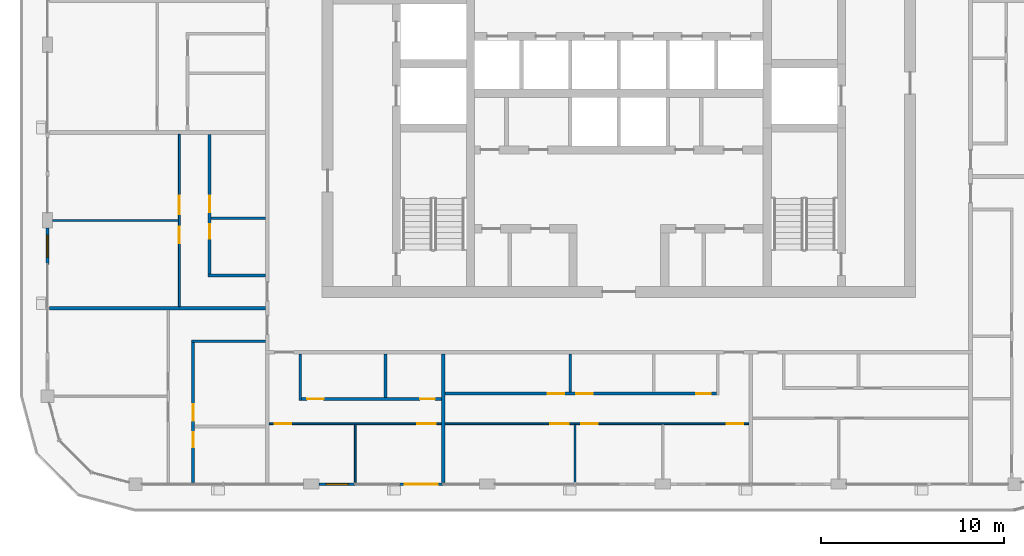
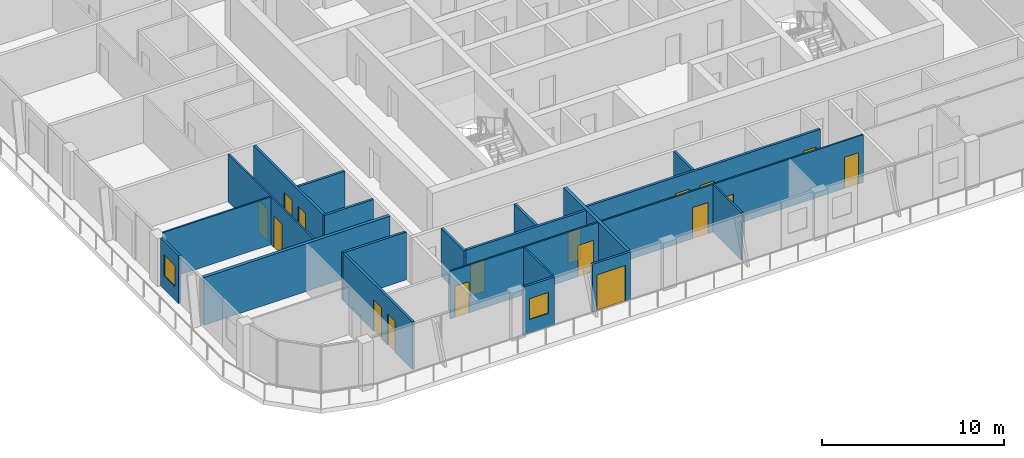
# One storey, part 9 of 22: 21 walls, 17 doors, 2 windows, 19 openings.
"""IFC4 building model written with IfcOpenShell, lengths in metres."""

from ifc_helpers import new_model, si_unit, direction, frame, frame_2d, origin, place, context, subcontext, project, spatial, rectangle, extrude, material, layer, layer_set, type_object, element, fill, save


model = new_model("IFC4")

# Units and contexts
model_context = context("Model", 3, precision=1e-05, world=origin(), true_north=direction((0.0, 1.0)))
body_context = subcontext(model_context, "Body", "Model", "MODEL_VIEW")
ifc_project = project(units=[si_unit("LENGTHUNIT", "METRE"), si_unit("AREAUNIT", "SQUARE_METRE"), si_unit("VOLUMEUNIT", "CUBIC_METRE"), si_unit("PLANEANGLEUNIT", "RADIAN"), si_unit("MASSUNIT", "GRAM", prefix="KILO")], contexts=[model_context])

# Site, building, storey
site_placement = place(None, origin())
site = spatial("IfcSite", under=ifc_project, at=site_placement, CompositionType="ELEMENT")
building_placement = place(site_placement, origin())
building = spatial("IfcBuilding", under=site, at=building_placement, Name="Madar Terraces", CompositionType="ELEMENT")
storey_placement = place(building_placement, frame((0.0, 0.0, 256.199951171875)))
storey = spatial("IfcBuildingStorey", under=building, at=storey_placement, Name="L67", CompositionType="ELEMENT", Elevation=256.199951171875)

# Wall, opening, window
ifc_material_1 = material(Name="Aluminium composite panel, black, over insulated backing", Category="aluminium")
ifc_layer_1 = layer(ifc_material_1, 0.14990234375)
ifc_layer_set_1 = layer_set([ifc_layer_1], Name="Facade bay panel 150")
wall_type_1 = type_object("IfcWallType", Name="Facade bay panel 150", PredefinedType="SOLIDWALL", material=ifc_layer_set_1)
wall_1_placement = place(storey_placement, frame((14.824951171875, 4.800048828125, 0.0), z_axis=(0.0, 0.0, 1.0), x_axis=(1.0, 0.0, 0.0)))
wall_1 = element("IfcWall", 1, at=wall_1_placement, inside=storey, type_object=wall_type_1, Name="Facade bay panel", PredefinedType="SOLIDWALL", context=body_context, shape_type="SweptSolid", body=[
    extrude(rectangle(XDim=1.97509765625, YDim=0.14990234375, at=frame_2d((0.987548828125, 0.0))), origin(), (0.0, 0.0, 1.0), 3.199951171875),
])
opening_1_placement = place(wall_1_placement, frame((0.387451171875, 0.0, 0.89990234375)))
opening_1 = element("IfcOpeningElement", 2, at=opening_1_placement, cuts=wall_1, Name="Opening W1", PredefinedType="OPENING", context=body_context, shape_type="SweptSolid", body=[
    extrude(rectangle(XDim=1.199951171875, YDim=1.39990234375, at=frame_2d((0.60009765625, 0.699951171875))), frame((0.0, 0.0849609375, 0.0), z_axis=(0.0, -1.0, 0.0), x_axis=(1.0, 0.0, 0.0)), (0.0, 0.0, 1.0), 0.169921875),
])
ifc_material_2 = material(Name="Glass, clear, with black aluminium frame", Category="aluminium")
window_type = type_object("IfcWindowType", Name="Vent window 1200 x 1400", PartitioningType="SINGLE_PANEL", PredefinedType="WINDOW", material=ifc_material_2)
window_1_placement = place(opening_1_placement, origin())
window_1 = element("IfcWindow", 3, at=window_1_placement, inside=storey, type_object=window_type, Name="Operable vent window", OverallHeight=1.39990234375, OverallWidth=1.199951171875, PartitioningType="SINGLE_PANEL", PredefinedType="WINDOW", context=body_context, shape_type="SweptSolid", body=[
    extrude(rectangle(XDim=1.199951171875, YDim=1.39990234375, at=frame_2d((0.60009765625, 0.699951171875))), frame((0.0, 0.030029296875, 0.0), z_axis=(0.0, -1.0, 0.0), x_axis=(1.0, 0.0, 0.0)), (0.0, 0.0, 1.0), 0.06005859375),
])
fill(opening_1, window_1)

# Wall, opening, door
wall_2_placement = place(storey_placement, frame((19.199951171875, 4.800048828125, 0.0), z_axis=(0.0, 0.0, 1.0), x_axis=(1.0, 0.0, 0.0)))
wall_2 = element("IfcWall", 4, at=wall_2_placement, inside=storey, type_object=wall_type_1, Name="Facade bay panel", PredefinedType="SOLIDWALL", context=body_context, shape_type="SweptSolid", body=[
    extrude(rectangle(XDim=2.400146484375, YDim=0.14990234375, at=frame_2d((1.2001953125, 0.0))), origin(), (0.0, 0.0, 1.0), 3.199951171875),
])
opening_2_placement = place(wall_2_placement, frame((0.300048828125, 0.0, 0.0)))
opening_2 = element("IfcOpeningElement", 5, at=opening_2_placement, cuts=wall_2, Name="Opening ED1", PredefinedType="OPENING", context=body_context, shape_type="SweptSolid", body=[
    extrude(rectangle(XDim=1.800048828125, YDim=2.39990234375, at=frame_2d((0.89990234375, 1.199951171875))), frame((0.0, 0.0849609375, 0.0), z_axis=(0.0, -1.0, 0.0), x_axis=(1.0, 0.0, 0.0)), (0.0, 0.0, 1.0), 0.169921875),
])
ifc_material_3 = material(Name="Glass, clear, with black aluminium frame", Category="aluminium")
door_type_1 = type_object("IfcDoorType", Name="Balcony and terrace sliding door 1800 x 2400", OperationType="SLIDING_TO_LEFT", PredefinedType="DOOR", material=ifc_material_3)
door_1_placement = place(opening_2_placement, origin())
door_1 = element("IfcDoor", 6, at=door_1_placement, inside=storey, type_object=door_type_1, Name="Balcony door", OperationType="SLIDING_TO_LEFT", OverallHeight=2.39990234375, OverallWidth=1.800048828125, PredefinedType="DOOR", context=body_context, shape_type="SweptSolid", body=[
    extrude(rectangle(XDim=1.800048828125, YDim=2.39990234375, at=frame_2d((0.89990234375, 1.199951171875))), frame((0.0, 0.02490234375, 0.0), z_axis=(0.0, -1.0, 0.0), x_axis=(1.0, 0.0, 0.0)), (0.0, 0.0, 1.0), 0.050048828125),
])
fill(opening_2, door_1)

# Wall, opening, window
wall_3_placement = place(storey_placement, frame((0.0, 18.77490234375, 0.0), z_axis=(0.0, 0.0, 1.0), x_axis=(0.0, -1.0, 0.0)))
wall_3 = element("IfcWall", 7, at=wall_3_placement, inside=storey, type_object=wall_type_1, Name="Facade bay panel", PredefinedType="SOLIDWALL", context=body_context, shape_type="SweptSolid", body=[
    extrude(rectangle(XDim=1.974853515625, YDim=0.14990234375, at=frame_2d((0.9873046875, 0.0))), origin(), (0.0, 0.0, 1.0), 3.199951171875),
])
opening_3_placement = place(wall_3_placement, frame((0.387451171875, 0.0, 0.89990234375)))
opening_3 = element("IfcOpeningElement", 8, at=opening_3_placement, cuts=wall_3, Name="Opening W1", PredefinedType="OPENING", context=body_context, shape_type="SweptSolid", body=[
    extrude(rectangle(XDim=1.199951171875, YDim=1.39990234375, at=frame_2d((0.60009765625, 0.699951171875))), frame((0.0, 0.0849609375, 0.0), z_axis=(0.0, -1.0, 0.0), x_axis=(1.0, 0.0, 0.0)), (0.0, 0.0, 1.0), 0.169921875),
])
window_2_placement = place(opening_3_placement, origin())
window_2 = element("IfcWindow", 9, at=window_2_placement, inside=storey, type_object=window_type, Name="Operable vent window", OverallHeight=1.39990234375, OverallWidth=1.199951171875, PartitioningType="SINGLE_PANEL", PredefinedType="WINDOW", context=body_context, shape_type="SweptSolid", body=[
    extrude(rectangle(XDim=1.199951171875, YDim=1.39990234375, at=frame_2d((0.60009765625, 0.699951171875))), frame((0.0, 0.030029296875, 0.0), z_axis=(0.0, -1.0, 0.0), x_axis=(1.0, 0.0, 0.0)), (0.0, 0.0, 1.0), 0.06005859375),
])
fill(opening_3, window_2)

# Wall
ifc_material_4 = material(Name="Gypsum board on steel studs", Category="steel")
ifc_layer_2 = layer(ifc_material_4, 0.10009765625)
ifc_layer_set_2 = layer_set([ifc_layer_2], Name="Flat partition 100")
wall_type_2 = type_object("IfcWallType", Name="Flat partition 100", PredefinedType="PARTITIONING", material=ifc_layer_set_2)
wall_4_placement = place(storey_placement, frame((16.800048828125, 8.050048828125, 0.0), z_axis=(0.0, 0.0, 1.0), x_axis=(0.0, -1.0, 0.0)))
element("IfcWall", 10, at=wall_4_placement, inside=storey, type_object=wall_type_2, Name="Flat partition 100", PredefinedType="PARTITIONING", context=body_context, shape_type="SweptSolid", body=[
    extrude(rectangle(XDim=3.150146484375, YDim=0.10009765625, at=frame_2d((1.5751953125, 0.0))), origin(), (0.0, 0.0, 1.0), 3.199951171875),
])

# Wall, openings, doors
wall_5_placement = place(storey_placement, frame((21.5, 8.10009765625, 0.0), z_axis=(0.0, 0.0, 1.0), x_axis=(-1.0, 0.0, 0.0)))
wall_5 = element("IfcWall", 11, at=wall_5_placement, inside=storey, type_object=wall_type_2, Name="Flat partition 100", PredefinedType="PARTITIONING", context=body_context, shape_type="SweptSolid", body=[
    extrude(rectangle(XDim=9.39990234375, YDim=0.10009765625, at=frame_2d((4.699951171875, 0.0))), origin(), (0.0, 0.0, 1.0), 3.199951171875),
])
opening_4_placement = place(wall_5_placement, frame((8.199951171875, 0.0, 0.0)))
opening_4 = element("IfcOpeningElement", 12, at=opening_4_placement, cuts=wall_5, Name="Opening D2", PredefinedType="OPENING", context=body_context, shape_type="SweptSolid", body=[
    extrude(rectangle(XDim=0.89990234375, YDim=2.10009765625, at=frame_2d((0.449951171875, 1.050048828125))), frame((0.0, 0.06005859375, 0.0), z_axis=(0.0, -1.0, 0.0), x_axis=(1.0, 0.0, 0.0)), (0.0, 0.0, 1.0), 0.1201171875),
])
opening_5_placement = place(wall_5_placement, frame((0.300048828125, 0.0, 0.0)))
opening_5 = element("IfcOpeningElement", 13, at=opening_5_placement, cuts=wall_5, Name="Opening D3", PredefinedType="OPENING", context=body_context, shape_type="SweptSolid", body=[
    extrude(rectangle(XDim=1.0, YDim=2.10009765625, at=frame_2d((0.5, 1.050048828125))), frame((0.0, 0.06005859375, 0.0), z_axis=(0.0, -1.0, 0.0), x_axis=(1.0, 0.0, 0.0)), (0.0, 0.0, 1.0), 0.1201171875),
])
ifc_material_5 = material(Name="Timber door leaf", Category="wood")
door_type_2 = type_object("IfcDoorType", Name="Flat living room door 1000", OperationType="NOTDEFINED", PredefinedType="DOOR", material=ifc_material_5)
door_2_placement = place(opening_5_placement, origin())
door_2 = element("IfcDoor", 14, at=door_2_placement, inside=storey, type_object=door_type_2, Name="Flat living room door 1000", OperationType="SINGLE_SWING_LEFT", OverallHeight=2.10009765625, OverallWidth=1.0, PredefinedType="DOOR", context=body_context, shape_type="SweptSolid", body=[
    extrude(rectangle(XDim=1.0, YDim=2.10009765625, at=frame_2d((0.5, 1.050048828125))), frame((0.0, 0.02490234375, 0.0), z_axis=(0.0, -1.0, 0.0), x_axis=(1.0, 0.0, 0.0)), (0.0, 0.0, 1.0), 0.050048828125),
])
fill(opening_5, door_2)
ifc_material_6 = material(Name="Timber door leaf", Category="wood")
door_type_3 = type_object("IfcDoorType", Name="Flat room door 900", OperationType="NOTDEFINED", PredefinedType="DOOR", material=ifc_material_6)
door_3_placement = place(opening_4_placement, origin())
door_3 = element("IfcDoor", 15, at=door_3_placement, inside=storey, type_object=door_type_3, Name="Flat room door 900", OperationType="SINGLE_SWING_RIGHT", OverallHeight=2.10009765625, OverallWidth=0.89990234375, PredefinedType="DOOR", context=body_context, shape_type="SweptSolid", body=[
    extrude(rectangle(XDim=0.89990234375, YDim=2.10009765625, at=frame_2d((0.449951171875, 1.050048828125))), frame((0.0, 0.02490234375, 0.0), z_axis=(0.0, -1.0, 0.0), x_axis=(1.0, 0.0, 0.0)), (0.0, 0.0, 1.0), 0.050048828125),
])
fill(opening_4, door_3)

# Wall
wall_6_placement = place(storey_placement, frame((28.800048828125, 8.050048828125, 0.0), z_axis=(0.0, 0.0, 1.0), x_axis=(0.0, -1.0, 0.0)))
element("IfcWall", 16, at=wall_6_placement, inside=storey, type_object=wall_type_2, Name="Flat partition 100", PredefinedType="PARTITIONING", context=body_context, shape_type="SweptSolid", body=[
    extrude(rectangle(XDim=3.150146484375, YDim=0.10009765625, at=frame_2d((1.5751953125, 0.0))), origin(), (0.0, 0.0, 1.0), 3.199951171875),
])

# Wall, openings, doors
wall_7_placement = place(storey_placement, frame((38.300048828125, 8.10009765625, 0.0), z_axis=(0.0, 0.0, 1.0), x_axis=(-1.0, 0.0, 0.0)))
wall_7 = element("IfcWall", 17, at=wall_7_placement, inside=storey, type_object=wall_type_2, Name="Flat partition 100", PredefinedType="PARTITIONING", context=body_context, shape_type="SweptSolid", body=[
    extrude(rectangle(XDim=16.60009765625, YDim=0.10009765625, at=frame_2d((8.300048828125, 0.0))), origin(), (0.0, 0.0, 1.0), 3.199951171875),
])
opening_6_placement = place(wall_7_placement, frame((0.300048828125, 0.0, 0.0)))
opening_6 = element("IfcOpeningElement", 18, at=opening_6_placement, cuts=wall_7, Name="Opening D2", PredefinedType="OPENING", context=body_context, shape_type="SweptSolid", body=[
    extrude(rectangle(XDim=0.89990234375, YDim=2.10009765625, at=frame_2d((0.449951171875, 1.050048828125))), frame((0.0, 0.06005859375, 0.0), z_axis=(0.0, -1.0, 0.0), x_axis=(1.0, 0.0, 0.0)), (0.0, 0.0, 1.0), 0.1201171875),
])
opening_7_placement = place(wall_7_placement, frame((8.25, 0.0, 0.0)))
opening_7 = element("IfcOpeningElement", 19, at=opening_7_placement, cuts=wall_7, Name="Opening D2", PredefinedType="OPENING", context=body_context, shape_type="SweptSolid", body=[
    extrude(rectangle(XDim=0.89990234375, YDim=2.10009765625, at=frame_2d((0.449951171875, 1.050048828125))), frame((0.0, 0.06005859375, 0.0), z_axis=(0.0, -1.0, 0.0), x_axis=(1.0, 0.0, 0.0)), (0.0, 0.0, 1.0), 0.1201171875),
])
opening_8_placement = place(wall_7_placement, frame((9.85009765625, 0.0, 0.0)))
opening_8 = element("IfcOpeningElement", 20, at=opening_8_placement, cuts=wall_7, Name="Opening D3", PredefinedType="OPENING", context=body_context, shape_type="SweptSolid", body=[
    extrude(rectangle(XDim=1.0, YDim=2.10009765625, at=frame_2d((0.5, 1.050048828125))), frame((0.0, 0.06005859375, 0.0), z_axis=(0.0, -1.0, 0.0), x_axis=(1.0, 0.0, 0.0)), (0.0, 0.0, 1.0), 0.1201171875),
])
door_4_placement = place(opening_8_placement, origin())
door_4 = element("IfcDoor", 21, at=door_4_placement, inside=storey, type_object=door_type_2, Name="Flat living room door 1000", OperationType="SINGLE_SWING_LEFT", OverallHeight=2.10009765625, OverallWidth=1.0, PredefinedType="DOOR", context=body_context, shape_type="SweptSolid", body=[
    extrude(rectangle(XDim=1.0, YDim=2.10009765625, at=frame_2d((0.5, 1.050048828125))), frame((0.0, 0.02490234375, 0.0), z_axis=(0.0, -1.0, 0.0), x_axis=(1.0, 0.0, 0.0)), (0.0, 0.0, 1.0), 0.050048828125),
])
fill(opening_8, door_4)
door_5_placement = place(opening_6_placement, origin())
door_5 = element("IfcDoor", 22, at=door_5_placement, inside=storey, type_object=door_type_3, Name="Flat room door 900", OperationType="SINGLE_SWING_LEFT", OverallHeight=2.10009765625, OverallWidth=0.89990234375, PredefinedType="DOOR", context=body_context, shape_type="SweptSolid", body=[
    extrude(rectangle(XDim=0.89990234375, YDim=2.10009765625, at=frame_2d((0.449951171875, 1.050048828125))), frame((0.0, 0.02490234375, 0.0), z_axis=(0.0, -1.0, 0.0), x_axis=(1.0, 0.0, 0.0)), (0.0, 0.0, 1.0), 0.050048828125),
])
fill(opening_6, door_5)
door_6_placement = place(opening_7_placement, origin())
door_6 = element("IfcDoor", 23, at=door_6_placement, inside=storey, type_object=door_type_3, Name="Flat room door 900", OperationType="SINGLE_SWING_RIGHT", OverallHeight=2.10009765625, OverallWidth=0.89990234375, PredefinedType="DOOR", context=body_context, shape_type="SweptSolid", body=[
    extrude(rectangle(XDim=0.89990234375, YDim=2.10009765625, at=frame_2d((0.449951171875, 1.050048828125))), frame((0.0, 0.02490234375, 0.0), z_axis=(0.0, -1.0, 0.0), x_axis=(1.0, 0.0, 0.0)), (0.0, 0.0, 1.0), 0.050048828125),
])
fill(opening_7, door_6)

# Wall
wall_8_placement = place(storey_placement, frame((7.14990234375, 19.199951171875, 0.0), z_axis=(0.0, 0.0, 1.0), x_axis=(-1.0, 0.0, 0.0)))
element("IfcWall", 24, at=wall_8_placement, inside=storey, type_object=wall_type_2, Name="Flat partition 100", PredefinedType="PARTITIONING", context=body_context, shape_type="SweptSolid", body=[
    extrude(rectangle(XDim=6.875, YDim=0.10009765625, at=frame_2d((3.4375, 0.0))), origin(), (0.0, 0.0, 1.0), 3.199951171875),
])

# Wall, openings, doors
wall_9_placement = place(storey_placement, frame((7.199951171875, 14.5, 0.0), z_axis=(0.0, 0.0, 1.0), x_axis=(0.0, 1.0, 0.0)))
wall_9 = element("IfcWall", 25, at=wall_9_placement, inside=storey, type_object=wall_type_2, Name="Flat partition 100", PredefinedType="PARTITIONING", context=body_context, shape_type="SweptSolid", body=[
    extrude(rectangle(XDim=9.39990234375, YDim=0.10009765625, at=frame_2d((4.699951171875, 0.0))), origin(), (0.0, 0.0, 1.0), 3.199951171875),
])
opening_9_placement = place(wall_9_placement, frame((3.449951171875, 0.0, 0.0)))
opening_9 = element("IfcOpeningElement", 26, at=opening_9_placement, cuts=wall_9, Name="Opening D2", PredefinedType="OPENING", context=body_context, shape_type="SweptSolid", body=[
    extrude(rectangle(XDim=0.89990234375, YDim=2.10009765625, at=frame_2d((0.449951171875, 1.050048828125))), frame((0.0, 0.06005859375, 0.0), z_axis=(0.0, -1.0, 0.0), x_axis=(1.0, 0.0, 0.0)), (0.0, 0.0, 1.0), 0.1201171875),
])
opening_10_placement = place(wall_9_placement, frame((5.050048828125, 0.0, 0.0)))
opening_10 = element("IfcOpeningElement", 27, at=opening_10_placement, cuts=wall_9, Name="Opening D3", PredefinedType="OPENING", context=body_context, shape_type="SweptSolid", body=[
    extrude(rectangle(XDim=1.0, YDim=2.10009765625, at=frame_2d((0.5, 1.050048828125))), frame((0.0, 0.06005859375, 0.0), z_axis=(0.0, -1.0, 0.0), x_axis=(1.0, 0.0, 0.0)), (0.0, 0.0, 1.0), 0.1201171875),
])
door_7_placement = place(opening_10_placement, origin())
door_7 = element("IfcDoor", 28, at=door_7_placement, inside=storey, type_object=door_type_2, Name="Flat living room door 1000", OperationType="SINGLE_SWING_LEFT", OverallHeight=2.10009765625, OverallWidth=1.0, PredefinedType="DOOR", context=body_context, shape_type="SweptSolid", body=[
    extrude(rectangle(XDim=1.0, YDim=2.10009765625, at=frame_2d((0.5, 1.050048828125))), frame((0.0, 0.02490234375, 0.0), z_axis=(0.0, -1.0, 0.0), x_axis=(1.0, 0.0, 0.0)), (0.0, 0.0, 1.0), 0.050048828125),
])
fill(opening_10, door_7)
door_8_placement = place(opening_9_placement, origin())
door_8 = element("IfcDoor", 29, at=door_8_placement, inside=storey, type_object=door_type_3, Name="Flat room door 900", OperationType="SINGLE_SWING_RIGHT", OverallHeight=2.10009765625, OverallWidth=0.89990234375, PredefinedType="DOOR", context=body_context, shape_type="SweptSolid", body=[
    extrude(rectangle(XDim=0.89990234375, YDim=2.10009765625, at=frame_2d((0.449951171875, 1.050048828125))), frame((0.0, 0.02490234375, 0.0), z_axis=(0.0, -1.0, 0.0), x_axis=(1.0, 0.0, 0.0)), (0.0, 0.0, 1.0), 0.050048828125),
])
fill(opening_9, door_8)

# Walls
ifc_material_7 = material(Name="Lightweight blockwork", Category="masonry")
ifc_layer_3 = layer(ifc_material_7, 0.199951171875)
ifc_layer_set_3 = layer_set([ifc_layer_3], Name="Flat party and entrance wall 200")
wall_type_3 = type_object("IfcWallType", Name="Flat party and entrance wall 200", PredefinedType="PARTITIONING", material=ifc_layer_set_3)
wall_10_placement = place(storey_placement, frame((21.60009765625, 11.89990234375, 0.0), z_axis=(0.0, 0.0, 1.0), x_axis=(0.0, -1.0, 0.0)))
element("IfcWall", 30, at=wall_10_placement, inside=storey, type_object=wall_type_3, Name="Flat party and entrance wall 200", PredefinedType="PARTITIONING", context=body_context, shape_type="SweptSolid", body=[
    extrude(rectangle(XDim=7.0, YDim=0.199951171875, at=frame_2d((3.5, 0.0))), origin(), (0.0, 0.0, 1.0), 3.199951171875),
])
wall_11_placement = place(storey_placement, frame((0.10009765625, 14.39990234375, 0.0), z_axis=(0.0, 0.0, 1.0), x_axis=(1.0, 0.0, 0.0)))
element("IfcWall", 31, at=wall_11_placement, inside=storey, type_object=wall_type_3, Name="Flat party and entrance wall 200", PredefinedType="PARTITIONING", context=body_context, shape_type="SweptSolid", body=[
    extrude(rectangle(XDim=11.7998046875, YDim=0.199951171875, at=frame_2d((5.89990234375, 0.0))), origin(), (0.0, 0.0, 1.0), 3.199951171875),
])
ifc_material_8 = material(Name="Lightweight blockwork", Category="masonry")
ifc_layer_4 = layer(ifc_material_8, 0.14990234375)
ifc_layer_set_4 = layer_set([ifc_layer_4], Name="Flat wet-room partition 150")
wall_type_4 = type_object("IfcWallType", Name="Flat wet-room partition 150", PredefinedType="PARTITIONING", material=ifc_layer_set_4)
wall_12_placement = place(storey_placement, frame((18.449951171875, 11.89990234375, 0.0), z_axis=(0.0, 0.0, 1.0), x_axis=(0.0, -1.0, 0.0)))
element("IfcWall", 32, at=wall_12_placement, inside=storey, type_object=wall_type_4, Name="Flat wet-room partition 150", PredefinedType="PARTITIONING", context=body_context, shape_type="SweptSolid", body=[
    extrude(rectangle(XDim=2.375, YDim=0.14990234375, at=frame_2d((1.1875, 0.0))), origin(), (0.0, 0.0, 1.0), 3.199951171875),
])
wall_13_placement = place(storey_placement, frame((13.800048828125, 11.89990234375, 0.0), z_axis=(0.0, 0.0, 1.0), x_axis=(0.0, -1.0, 0.0)))
element("IfcWall", 33, at=wall_13_placement, inside=storey, type_object=wall_type_4, Name="Flat wet-room partition 150", PredefinedType="PARTITIONING", context=body_context, shape_type="SweptSolid", body=[
    extrude(rectangle(XDim=2.52490234375, YDim=0.14990234375, at=frame_2d((1.262451171875, 0.0))), origin(), (0.0, 0.0, 1.0), 3.199951171875),
])

# Wall, openings, doors
wall_14_placement = place(storey_placement, frame((13.875, 9.449951171875, 0.0), z_axis=(0.0, 0.0, 1.0), x_axis=(1.0, 0.0, 0.0)))
wall_14 = element("IfcWall", 34, at=wall_14_placement, inside=storey, type_object=wall_type_4, Name="Flat wet-room partition 150", PredefinedType="PARTITIONING", context=body_context, shape_type="SweptSolid", body=[
    extrude(rectangle(XDim=7.625, YDim=0.14990234375, at=frame_2d((3.8125, 0.0))), origin(), (0.0, 0.0, 1.0), 3.199951171875),
])
opening_11_placement = place(wall_14_placement, frame((0.300048828125, 0.0, 0.0)))
opening_11 = element("IfcOpeningElement", 35, at=opening_11_placement, cuts=wall_14, Name="Opening D2", PredefinedType="OPENING", context=body_context, shape_type="SweptSolid", body=[
    extrude(rectangle(XDim=0.89990234375, YDim=2.10009765625, at=frame_2d((0.449951171875, 1.050048828125))), frame((0.0, 0.0849609375, 0.0), z_axis=(0.0, -1.0, 0.0), x_axis=(1.0, 0.0, 0.0)), (0.0, 0.0, 1.0), 0.169921875),
])
opening_12_placement = place(wall_14_placement, frame((6.47509765625, 0.0, 0.0)))
opening_12 = element("IfcOpeningElement", 36, at=opening_12_placement, cuts=wall_14, Name="Opening D4", PredefinedType="OPENING", context=body_context, shape_type="SweptSolid", body=[
    extrude(rectangle(XDim=0.800048828125, YDim=2.10009765625, at=frame_2d((0.39990234375, 1.050048828125))), frame((0.0, 0.0849609375, 0.0), z_axis=(0.0, -1.0, 0.0), x_axis=(1.0, 0.0, 0.0)), (0.0, 0.0, 1.0), 0.169921875),
])
ifc_material_9 = material(Name="Timber door leaf", Category="wood")
door_type_4 = type_object("IfcDoorType", Name="Flat bathroom door 800", OperationType="NOTDEFINED", PredefinedType="DOOR", material=ifc_material_9)
door_9_placement = place(opening_12_placement, origin())
door_9 = element("IfcDoor", 37, at=door_9_placement, inside=storey, type_object=door_type_4, Name="Flat bathroom door 800", OperationType="SINGLE_SWING_RIGHT", OverallHeight=2.10009765625, OverallWidth=0.800048828125, PredefinedType="DOOR", context=body_context, shape_type="SweptSolid", body=[
    extrude(rectangle(XDim=0.800048828125, YDim=2.10009765625, at=frame_2d((0.39990234375, 1.050048828125))), frame((0.0, 0.02490234375, 0.0), z_axis=(0.0, -1.0, 0.0), x_axis=(1.0, 0.0, 0.0)), (0.0, 0.0, 1.0), 0.050048828125),
])
fill(opening_12, door_9)
door_10_placement = place(opening_11_placement, origin())
door_10 = element("IfcDoor", 38, at=door_10_placement, inside=storey, type_object=door_type_3, Name="Flat room door 900", OperationType="SINGLE_SWING_LEFT", OverallHeight=2.10009765625, OverallWidth=0.89990234375, PredefinedType="DOOR", context=body_context, shape_type="SweptSolid", body=[
    extrude(rectangle(XDim=0.89990234375, YDim=2.10009765625, at=frame_2d((0.449951171875, 1.050048828125))), frame((0.0, 0.02490234375, 0.0), z_axis=(0.0, -1.0, 0.0), x_axis=(1.0, 0.0, 0.0)), (0.0, 0.0, 1.0), 0.050048828125),
])
fill(opening_11, door_10)

# Wall
wall_15_placement = place(storey_placement, frame((28.542236328125, 11.89990234375, 0.0), z_axis=(0.0, 0.0, 1.0), x_axis=(0.0, -1.0, 0.0)))
element("IfcWall", 39, at=wall_15_placement, inside=storey, type_object=wall_type_4, Name="Flat wet-room partition 150", PredefinedType="PARTITIONING", context=body_context, shape_type="SweptSolid", body=[
    extrude(rectangle(XDim=2.074951171875, YDim=0.14990234375, at=frame_2d((1.03759765625, 0.0))), origin(), (0.0, 0.0, 1.0), 3.199951171875),
])

# Wall, openings, doors
wall_16_placement = place(storey_placement, frame((21.699951171875, 9.75, 0.0), z_axis=(0.0, 0.0, 1.0), x_axis=(1.0, 0.0, 0.0)))
wall_16 = element("IfcWall", 40, at=wall_16_placement, inside=storey, type_object=wall_type_4, Name="Flat wet-room partition 150", PredefinedType="PARTITIONING", context=body_context, shape_type="SweptSolid", body=[
    extrude(rectangle(XDim=14.824951171875, YDim=0.14990234375, at=frame_2d((7.41259765625, 0.0))), origin(), (0.0, 0.0, 1.0), 3.199951171875),
])
opening_13_placement = place(wall_16_placement, frame((13.72509765625, 0.0, 0.0)))
opening_13 = element("IfcOpeningElement", 41, at=opening_13_placement, cuts=wall_16, Name="Opening D4", PredefinedType="OPENING", context=body_context, shape_type="SweptSolid", body=[
    extrude(rectangle(XDim=0.800048828125, YDim=2.10009765625, at=frame_2d((0.39990234375, 1.050048828125))), frame((0.0, 0.0849609375, 0.0), z_axis=(0.0, -1.0, 0.0), x_axis=(1.0, 0.0, 0.0)), (0.0, 0.0, 1.0), 0.169921875),
])
opening_14_placement = place(wall_16_placement, frame((7.167236328125, 0.0, 0.0)))
opening_14 = element("IfcOpeningElement", 42, at=opening_14_placement, cuts=wall_16, Name="Opening D5", PredefinedType="OPENING", context=body_context, shape_type="SweptSolid", body=[
    extrude(rectangle(XDim=0.89990234375, YDim=2.10009765625, at=frame_2d((0.449951171875, 1.050048828125))), frame((0.0, 0.0849609375, 0.0), z_axis=(0.0, -1.0, 0.0), x_axis=(1.0, 0.0, 0.0)), (0.0, 0.0, 1.0), 0.169921875),
])
opening_15_placement = place(wall_16_placement, frame((5.6171875, 0.0, 0.0)))
opening_15 = element("IfcOpeningElement", 43, at=opening_15_placement, cuts=wall_16, Name="Opening D2", PredefinedType="OPENING", context=body_context, shape_type="SweptSolid", body=[
    extrude(rectangle(XDim=0.89990234375, YDim=2.10009765625, at=frame_2d((0.449951171875, 1.050048828125))), frame((0.0, 0.0849609375, 0.0), z_axis=(0.0, -1.0, 0.0), x_axis=(1.0, 0.0, 0.0)), (0.0, 0.0, 1.0), 0.169921875),
])
ifc_material_10 = material(Name="Timber door leaf", Category="wood")
door_type_5 = type_object("IfcDoorType", Name="Flat accessible bathroom door 900", OperationType="NOTDEFINED", PredefinedType="DOOR", material=ifc_material_10)
door_11_placement = place(opening_14_placement, origin())
door_11 = element("IfcDoor", 44, at=door_11_placement, inside=storey, type_object=door_type_5, Name="Flat accessible bathroom door 900", OperationType="SINGLE_SWING_LEFT", OverallHeight=2.10009765625, OverallWidth=0.89990234375, PredefinedType="DOOR", context=body_context, shape_type="SweptSolid", body=[
    extrude(rectangle(XDim=0.89990234375, YDim=2.10009765625, at=frame_2d((0.449951171875, 1.050048828125))), frame((0.0, 0.02490234375, 0.0), z_axis=(0.0, -1.0, 0.0), x_axis=(1.0, 0.0, 0.0)), (0.0, 0.0, 1.0), 0.050048828125),
])
fill(opening_14, door_11)
door_12_placement = place(opening_13_placement, origin())
door_12 = element("IfcDoor", 45, at=door_12_placement, inside=storey, type_object=door_type_4, Name="Flat bathroom door 800", OperationType="SINGLE_SWING_RIGHT", OverallHeight=2.10009765625, OverallWidth=0.800048828125, PredefinedType="DOOR", context=body_context, shape_type="SweptSolid", body=[
    extrude(rectangle(XDim=0.800048828125, YDim=2.10009765625, at=frame_2d((0.39990234375, 1.050048828125))), frame((0.0, 0.02490234375, 0.0), z_axis=(0.0, -1.0, 0.0), x_axis=(1.0, 0.0, 0.0)), (0.0, 0.0, 1.0), 0.050048828125),
])
fill(opening_13, door_12)
door_13_placement = place(opening_15_placement, origin())
door_13 = element("IfcDoor", 46, at=door_13_placement, inside=storey, type_object=door_type_3, Name="Flat room door 900", OperationType="SINGLE_SWING_RIGHT", OverallHeight=2.10009765625, OverallWidth=0.89990234375, PredefinedType="DOOR", context=body_context, shape_type="SweptSolid", body=[
    extrude(rectangle(XDim=0.89990234375, YDim=2.10009765625, at=frame_2d((0.449951171875, 1.050048828125))), frame((0.0, 0.02490234375, 0.0), z_axis=(0.0, -1.0, 0.0), x_axis=(1.0, 0.0, 0.0)), (0.0, 0.0, 1.0), 0.050048828125),
])
fill(opening_15, door_13)

# Walls
wall_17_placement = place(storey_placement, frame((11.89990234375, 19.324951171875, 0.0), z_axis=(0.0, 0.0, 1.0), x_axis=(-1.0, 0.0, 0.0)))
element("IfcWall", 47, at=wall_17_placement, inside=storey, type_object=wall_type_4, Name="Flat wet-room partition 150", PredefinedType="PARTITIONING", context=body_context, shape_type="SweptSolid", body=[
    extrude(rectangle(XDim=2.974853515625, YDim=0.14990234375, at=frame_2d((1.4873046875, 0.0))), origin(), (0.0, 0.0, 1.0), 3.199951171875),
])
wall_18_placement = place(storey_placement, frame((11.89990234375, 16.199951171875, 0.0), z_axis=(0.0, 0.0, 1.0), x_axis=(-1.0, 0.0, 0.0)))
element("IfcWall", 48, at=wall_18_placement, inside=storey, type_object=wall_type_4, Name="Flat wet-room partition 150", PredefinedType="PARTITIONING", context=body_context, shape_type="SweptSolid", body=[
    extrude(rectangle(XDim=3.125, YDim=0.14990234375, at=frame_2d((1.5625, 0.0))), origin(), (0.0, 0.0, 1.0), 3.199951171875),
])

# Wall, openings, doors
wall_19_placement = place(storey_placement, frame((8.85009765625, 23.89990234375, 0.0), z_axis=(0.0, 0.0, 1.0), x_axis=(0.0, -1.0, 0.0)))
wall_19 = element("IfcWall", 49, at=wall_19_placement, inside=storey, type_object=wall_type_4, Name="Flat wet-room partition 150", PredefinedType="PARTITIONING", context=body_context, shape_type="SweptSolid", body=[
    extrude(rectangle(XDim=7.625, YDim=0.14990234375, at=frame_2d((3.8125, 0.0))), origin(), (0.0, 0.0, 1.0), 3.199951171875),
])
opening_16_placement = place(wall_19_placement, frame((4.89990234375, 0.0, 0.0)))
opening_16 = element("IfcOpeningElement", 50, at=opening_16_placement, cuts=wall_19, Name="Opening D4", PredefinedType="OPENING", context=body_context, shape_type="SweptSolid", body=[
    extrude(rectangle(XDim=0.800048828125, YDim=2.10009765625, at=frame_2d((0.39990234375, 1.050048828125))), frame((0.0, 0.0849609375, 0.0), z_axis=(0.0, -1.0, 0.0), x_axis=(1.0, 0.0, 0.0)), (0.0, 0.0, 1.0), 0.169921875),
])
opening_17_placement = place(wall_19_placement, frame((3.35009765625, 0.0, 0.0)))
opening_17 = element("IfcOpeningElement", 51, at=opening_17_placement, cuts=wall_19, Name="Opening D2", PredefinedType="OPENING", context=body_context, shape_type="SweptSolid", body=[
    extrude(rectangle(XDim=0.89990234375, YDim=2.10009765625, at=frame_2d((0.449951171875, 1.050048828125))), frame((0.0, 0.0849609375, 0.0), z_axis=(0.0, -1.0, 0.0), x_axis=(1.0, 0.0, 0.0)), (0.0, 0.0, 1.0), 0.169921875),
])
door_14_placement = place(opening_16_placement, origin())
door_14 = element("IfcDoor", 52, at=door_14_placement, inside=storey, type_object=door_type_4, Name="Flat bathroom door 800", OperationType="SINGLE_SWING_LEFT", OverallHeight=2.10009765625, OverallWidth=0.800048828125, PredefinedType="DOOR", context=body_context, shape_type="SweptSolid", body=[
    extrude(rectangle(XDim=0.800048828125, YDim=2.10009765625, at=frame_2d((0.39990234375, 1.050048828125))), frame((0.0, 0.02490234375, 0.0), z_axis=(0.0, -1.0, 0.0), x_axis=(1.0, 0.0, 0.0)), (0.0, 0.0, 1.0), 0.050048828125),
])
fill(opening_16, door_14)
door_15_placement = place(opening_17_placement, origin())
door_15 = element("IfcDoor", 53, at=door_15_placement, inside=storey, type_object=door_type_3, Name="Flat room door 900", OperationType="SINGLE_SWING_RIGHT", OverallHeight=2.10009765625, OverallWidth=0.89990234375, PredefinedType="DOOR", context=body_context, shape_type="SweptSolid", body=[
    extrude(rectangle(XDim=0.89990234375, YDim=2.10009765625, at=frame_2d((0.449951171875, 1.050048828125))), frame((0.0, 0.02490234375, 0.0), z_axis=(0.0, -1.0, 0.0), x_axis=(1.0, 0.0, 0.0)), (0.0, 0.0, 1.0), 0.050048828125),
])
fill(opening_17, door_15)

# Wall
wall_20_placement = place(storey_placement, frame((11.89990234375, 12.60009765625, 0.0), z_axis=(0.0, 0.0, 1.0), x_axis=(-1.0, 0.0, 0.0)))
element("IfcWall", 54, at=wall_20_placement, inside=storey, type_object=wall_type_4, Name="Flat wet-room partition 150", PredefinedType="PARTITIONING", context=body_context, shape_type="SweptSolid", body=[
    extrude(rectangle(XDim=4.02490234375, YDim=0.14990234375, at=frame_2d((2.012451171875, 0.0))), origin(), (0.0, 0.0, 1.0), 3.199951171875),
])

# Wall, openings, doors
wall_21_placement = place(storey_placement, frame((7.949951171875, 12.52490234375, 0.0), z_axis=(0.0, 0.0, 1.0), x_axis=(0.0, -1.0, 0.0)))
wall_21 = element("IfcWall", 55, at=wall_21_placement, inside=storey, type_object=wall_type_4, Name="Flat wet-room partition 150", PredefinedType="PARTITIONING", context=body_context, shape_type="SweptSolid", body=[
    extrude(rectangle(XDim=7.625, YDim=0.14990234375, at=frame_2d((3.8125, 0.0))), origin(), (0.0, 0.0, 1.0), 3.199951171875),
])
opening_18_placement = place(wall_21_placement, frame((3.35009765625, 0.0, 0.0)))
opening_18 = element("IfcOpeningElement", 56, at=opening_18_placement, cuts=wall_21, Name="Opening D2", PredefinedType="OPENING", context=body_context, shape_type="SweptSolid", body=[
    extrude(rectangle(XDim=0.89990234375, YDim=2.10009765625, at=frame_2d((0.449951171875, 1.050048828125))), frame((0.0, 0.0849609375, 0.0), z_axis=(0.0, -1.0, 0.0), x_axis=(1.0, 0.0, 0.0)), (0.0, 0.0, 1.0), 0.169921875),
])
opening_19_placement = place(wall_21_placement, frame((4.89990234375, 0.0, 0.0)))
opening_19 = element("IfcOpeningElement", 57, at=opening_19_placement, cuts=wall_21, Name="Opening D4", PredefinedType="OPENING", context=body_context, shape_type="SweptSolid", body=[
    extrude(rectangle(XDim=0.800048828125, YDim=2.10009765625, at=frame_2d((0.39990234375, 1.050048828125))), frame((0.0, 0.0849609375, 0.0), z_axis=(0.0, -1.0, 0.0), x_axis=(1.0, 0.0, 0.0)), (0.0, 0.0, 1.0), 0.169921875),
])
door_16_placement = place(opening_19_placement, origin())
door_16 = element("IfcDoor", 58, at=door_16_placement, inside=storey, type_object=door_type_4, Name="Flat bathroom door 800", OperationType="SINGLE_SWING_LEFT", OverallHeight=2.10009765625, OverallWidth=0.800048828125, PredefinedType="DOOR", context=body_context, shape_type="SweptSolid", body=[
    extrude(rectangle(XDim=0.800048828125, YDim=2.10009765625, at=frame_2d((0.39990234375, 1.050048828125))), frame((0.0, 0.02490234375, 0.0), z_axis=(0.0, -1.0, 0.0), x_axis=(1.0, 0.0, 0.0)), (0.0, 0.0, 1.0), 0.050048828125),
])
fill(opening_19, door_16)
door_17_placement = place(opening_18_placement, origin())
door_17 = element("IfcDoor", 59, at=door_17_placement, inside=storey, type_object=door_type_3, Name="Flat room door 900", OperationType="SINGLE_SWING_RIGHT", OverallHeight=2.10009765625, OverallWidth=0.89990234375, PredefinedType="DOOR", context=body_context, shape_type="SweptSolid", body=[
    extrude(rectangle(XDim=0.89990234375, YDim=2.10009765625, at=frame_2d((0.449951171875, 1.050048828125))), frame((0.0, 0.02490234375, 0.0), z_axis=(0.0, -1.0, 0.0), x_axis=(1.0, 0.0, 0.0)), (0.0, 0.0, 1.0), 0.050048828125),
])
fill(opening_18, door_17)

save(model, "model.ifc")
